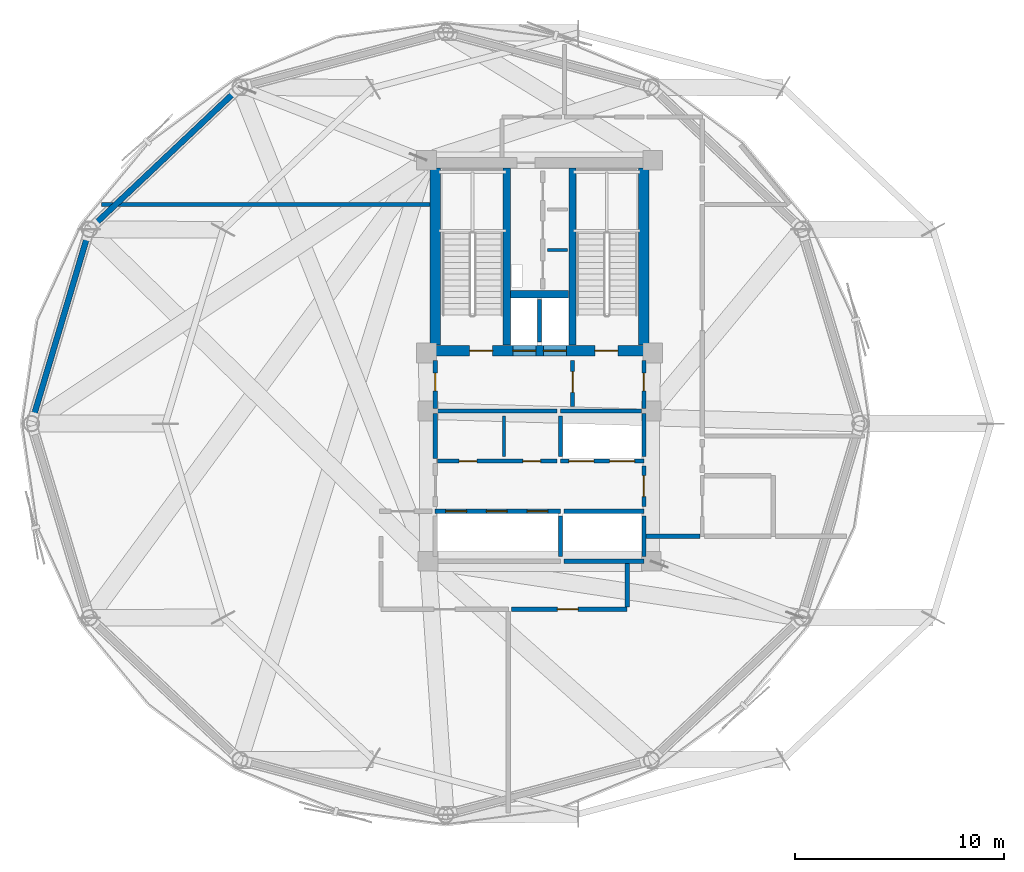
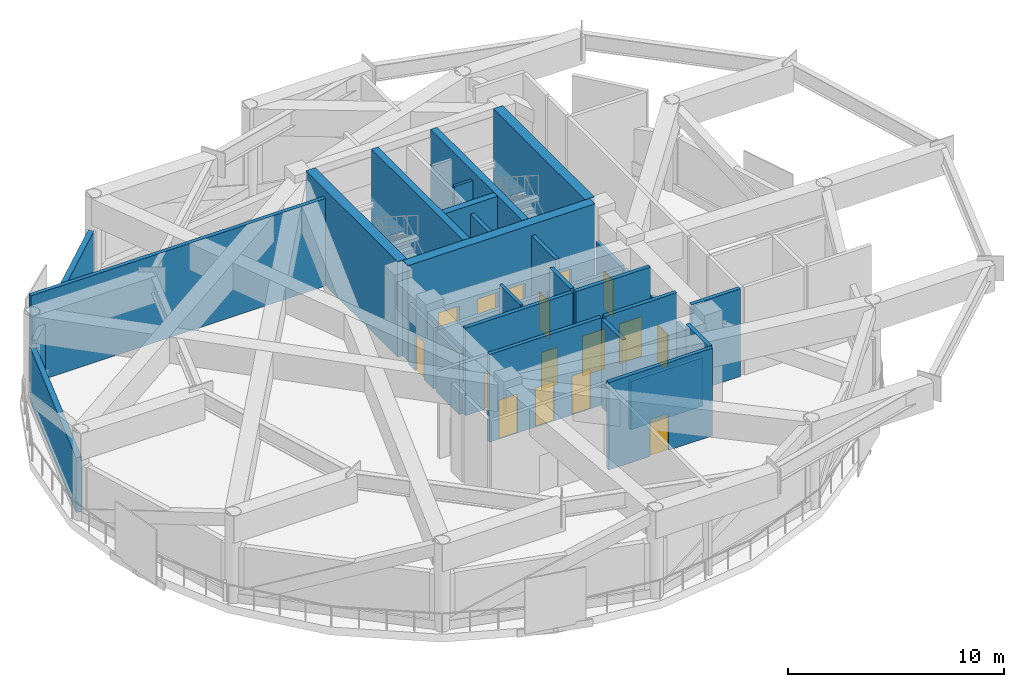
# One storey, part 3 of 8: 31 walls, 16 doors, 16 openings.
"""IFC4 building model written with IfcOpenShell, lengths in metres."""

from ifc_helpers import new_model, si_unit, direction, frame, frame_2d, origin, place, context, subcontext, project, spatial, rectangle, extrude, material, layer, layer_set, type_object, element, fill, save


model = new_model("IFC4")

# Units and contexts
model_context = context("Model", 3, precision=1e-05, world=origin(), true_north=direction((0.0, 1.0)))
body_context = subcontext(model_context, "Body", "Model", "MODEL_VIEW")
ifc_project = project(units=[si_unit("LENGTHUNIT", "METRE"), si_unit("AREAUNIT", "SQUARE_METRE"), si_unit("VOLUMEUNIT", "CUBIC_METRE"), si_unit("PLANEANGLEUNIT", "RADIAN"), si_unit("MASSUNIT", "GRAM", prefix="KILO")], contexts=[model_context])

# Site, building, storey
site_placement = place(None, origin())
site = spatial("IfcSite", under=ifc_project, at=site_placement, CompositionType="ELEMENT")
building_placement = place(site_placement, origin())
building = spatial("IfcBuilding", under=site, at=building_placement, Name="Varnakorn Sky Granary", CompositionType="ELEMENT")
storey_placement = place(building_placement, frame((0.0, 0.0, 173.39990234375)))
storey = spatial("IfcBuildingStorey", under=building, at=storey_placement, Name="L43", CompositionType="ELEMENT", Elevation=173.39990234375)

# Walls
ifc_material_1 = material(Name="Concrete C50/60", Category="concrete")
ifc_layer_1 = layer(ifc_material_1, 0.35009765625, Name="Concrete C50/60")
ifc_layer_set_1 = layer_set([ifc_layer_1], Name="Concrete C50/60")
wall_type_1 = type_object("IfcWallType", Name="WT-CW-INT-350", PredefinedType="SHEAR", material=ifc_layer_set_1)
for number, where, z_axis, x_axis, name in (
    (1, (1.419921875, 3.760009765625, 0.0), (0.0, 0.0, 1.0), (0.0, 1.0, 0.0), "Stair ST-1 Core Wall L43"),
    (2, (4.580078125, 3.760009765625, 0.0), (0.0, 0.0, 1.0), (0.0, 1.0, 0.0), "Stair ST-2 Core Wall L43"),
):
    element("IfcWall", number, at=place(storey_placement, frame(where, z_axis=z_axis, x_axis=x_axis)), inside=storey, type_object=wall_type_1, Name=name, PredefinedType="SHEAR", context=body_context, shape_type="SweptSolid", body=[
        extrude(rectangle(XDim=8.47998046875, YDim=0.35009765625, at=frame_2d((4.239990234375, 0.0))), origin(), (0.0, 0.0, 1.0), 5.39208984375),
    ])
wall_1_placement = place(storey_placement, frame((1.610107421875, 6.199951171875, 0.0), z_axis=(0.0, 0.0, 1.0), x_axis=(1.0, 0.0, 0.0)))
element("IfcWall", 3, at=wall_1_placement, inside=storey, type_object=wall_type_1, Name="Core Lift Shaft Cross Wall L43", PredefinedType="SHEAR", context=body_context, shape_type="SweptSolid", body=[
    extrude(rectangle(XDim=2.77978515625, YDim=0.35009765625, at=frame_2d((1.389892578125, 0.0))), origin(), (0.0, 0.0, 1.0), 5.39208984375),
])

# Wall, openings, doors
ifc_material_2 = material(Name="Concrete C60/75", Category="concrete")
ifc_layer_2 = layer(ifc_material_2, 0.5, Name="Concrete C60/75")
ifc_layer_set_2 = layer_set([ifc_layer_2], Name="Concrete C60/75")
wall_type_2 = type_object("IfcWallType", Name="WT-CW-SHEAR-500", PredefinedType="SHEAR", material=ifc_layer_set_2)
wall_2_placement = place(storey_placement, frame((-2.0, 3.5, 0.0), z_axis=(0.0, 0.0, 1.0), x_axis=(1.0, 0.0, 0.0)))
wall_2 = element("IfcWall", 4, at=wall_2_placement, inside=storey, type_object=wall_type_2, Name="Core South Shear Wall L43", PredefinedType="SHEAR", context=body_context, shape_type="SweptSolid", body=[
    extrude(rectangle(XDim=10.0, YDim=0.5, at=frame_2d((5.0, 0.0))), origin(), (0.0, 0.0, 1.0), 5.39208984375),
])
opening_1_placement = place(wall_2_placement, frame((1.64990234375, 0.0, 0.0)))
opening_1 = element("IfcOpeningElement", 5, at=opening_1_placement, cuts=wall_2, Name="Opening FD-90", PredefinedType="OPENING", context=body_context, shape_type="SweptSolid", body=[
    extrude(rectangle(XDim=1.10009765625, YDim=2.14990234375, at=frame_2d((0.550048828125, 1.074951171875))), frame((0.0, 0.260009765625, 0.0), z_axis=(0.0, -1.0, 0.0), x_axis=(1.0, 0.0, 0.0)), (0.0, 0.0, 1.0), 0.52001953125),
])
opening_2_placement = place(wall_2_placement, frame((7.64990234375, 0.0, 0.0)))
opening_2 = element("IfcOpeningElement", 6, at=opening_2_placement, cuts=wall_2, Name="Opening FD-90", PredefinedType="OPENING", context=body_context, shape_type="SweptSolid", body=[
    extrude(rectangle(XDim=1.10009765625, YDim=2.14990234375, at=frame_2d((0.550048828125, 1.074951171875))), frame((0.0, 0.260009765625, 0.0), z_axis=(0.0, -1.0, 0.0), x_axis=(1.0, 0.0, 0.0)), (0.0, 0.0, 1.0), 0.52001953125),
])
opening_3_placement = place(wall_2_placement, frame((3.719970703125, 0.0, 0.0)))
opening_3 = element("IfcOpeningElement", 7, at=opening_3_placement, cuts=wall_2, Name="Opening LD-01", PredefinedType="OPENING", context=body_context, shape_type="SweptSolid", body=[
    extrude(rectangle(XDim=1.10009765625, YDim=2.199951171875, at=frame_2d((0.550048828125, 1.10009765625))), frame((0.0, 0.260009765625, 0.0), z_axis=(0.0, -1.0, 0.0), x_axis=(1.0, 0.0, 0.0)), (0.0, 0.0, 1.0), 0.52001953125),
])
opening_4_placement = place(wall_2_placement, frame((5.179931640625, 0.0, 0.0)))
opening_4 = element("IfcOpeningElement", 8, at=opening_4_placement, cuts=wall_2, Name="Opening LD-01", PredefinedType="OPENING", context=body_context, shape_type="SweptSolid", body=[
    extrude(rectangle(XDim=1.10009765625, YDim=2.199951171875, at=frame_2d((0.550048828125, 1.10009765625))), frame((0.0, 0.260009765625, 0.0), z_axis=(0.0, -1.0, 0.0), x_axis=(1.0, 0.0, 0.0)), (0.0, 0.0, 1.0), 0.52001953125),
])
ifc_material_3 = material(Name="Brushed Bronze Stainless Steel", Category="steel")
door_type_1 = type_object("IfcDoorType", Name="DR-LD-1100", OperationType="DOUBLE_DOOR_SLIDING", PredefinedType="DOOR", material=ifc_material_3)
door_1_placement = place(opening_3_placement, origin())
door_1 = element("IfcDoor", 9, at=door_1_placement, inside=storey, type_object=door_type_1, Name="Firefighting Lift FFL-1 Landing Door L43", OperationType="DOUBLE_DOOR_SLIDING", OverallHeight=2.199951171875, OverallWidth=1.10009765625, PredefinedType="DOOR", context=body_context, shape_type="SweptSolid", body=[
    extrude(rectangle(XDim=1.10009765625, YDim=2.199951171875, at=frame_2d((0.550048828125, 1.10009765625))), frame((0.0, 0.02490234375, 0.0), z_axis=(0.0, -1.0, 0.0), x_axis=(1.0, 0.0, 0.0)), (0.0, 0.0, 1.0), 0.050048828125),
])
fill(opening_3, door_1)
door_2_placement = place(opening_4_placement, origin())
door_2 = element("IfcDoor", 10, at=door_2_placement, inside=storey, type_object=door_type_1, Name="Firefighting Lift FFL-2 Landing Door L43", OperationType="DOUBLE_DOOR_SLIDING", OverallHeight=2.199951171875, OverallWidth=1.10009765625, PredefinedType="DOOR", context=body_context, shape_type="SweptSolid", body=[
    extrude(rectangle(XDim=1.10009765625, YDim=2.199951171875, at=frame_2d((0.550048828125, 1.10009765625))), frame((0.0, 0.02490234375, 0.0), z_axis=(0.0, -1.0, 0.0), x_axis=(1.0, 0.0, 0.0)), (0.0, 0.0, 1.0), 0.050048828125),
])
fill(opening_4, door_2)
ifc_material_4 = material(Name="Galvanised Painted Steel Leaf", Category="steel")
door_type_2 = type_object("IfcDoorType", Name="DR-STAIR-1100", OperationType="NOTDEFINED", PredefinedType="DOOR", material=ifc_material_4)
door_3_placement = place(opening_1_placement, origin())
door_3 = element("IfcDoor", 11, at=door_3_placement, inside=storey, type_object=door_type_2, Name="Stair ST-1 Protected Fire Door L43", OperationType="SINGLE_SWING_LEFT", OverallHeight=2.14990234375, OverallWidth=1.10009765625, PredefinedType="DOOR", context=body_context, shape_type="SweptSolid", body=[
    extrude(rectangle(XDim=1.10009765625, YDim=2.14990234375, at=frame_2d((0.550048828125, 1.074951171875))), frame((0.0, 0.02490234375, 0.0), z_axis=(0.0, -1.0, 0.0), x_axis=(1.0, 0.0, 0.0)), (0.0, 0.0, 1.0), 0.050048828125),
])
fill(opening_1, door_3)
door_4_placement = place(opening_2_placement, origin())
door_4 = element("IfcDoor", 12, at=door_4_placement, inside=storey, type_object=door_type_2, Name="Stair ST-2 Protected Fire Door L43", OperationType="SINGLE_SWING_RIGHT", OverallHeight=2.14990234375, OverallWidth=1.10009765625, PredefinedType="DOOR", context=body_context, shape_type="SweptSolid", body=[
    extrude(rectangle(XDim=1.10009765625, YDim=2.14990234375, at=frame_2d((0.550048828125, 1.074951171875))), frame((0.0, 0.02490234375, 0.0), z_axis=(0.0, -1.0, 0.0), x_axis=(1.0, 0.0, 0.0)), (0.0, 0.0, 1.0), 0.050048828125),
])
fill(opening_2, door_4)

# Walls
for number, where, z_axis, x_axis, name in (
    (13, (-2.0, 3.760009765625, 0.0), (0.0, 0.0, 1.0), (0.0, 1.0, 0.0), "Core West Shear Wall L43"),
    (14, (8.0, 3.760009765625, 0.0), (0.0, 0.0, 1.0), (0.0, 1.0, 0.0), "Core East Shear Wall L43"),
):
    element("IfcWall", number, at=place(storey_placement, frame(where, z_axis=z_axis, x_axis=x_axis)), inside=storey, type_object=wall_type_2, Name=name, PredefinedType="SHEAR", context=body_context, shape_type="SweptSolid", body=[
        extrude(rectangle(XDim=8.47998046875, YDim=0.5, at=frame_2d((4.239990234375, 0.0))), origin(), (0.0, 0.0, 1.0), 5.39208984375),
    ])
ifc_material_5 = material(Name="Precast concrete C40/50", Category="concrete")
ifc_layer_3 = layer(ifc_material_5, 0.280029296875, Name="Precast concrete C40/50")
ifc_layer_set_3 = layer_set([ifc_layer_3], Name="Precast concrete C40/50")
wall_type_3 = type_object("IfcWallType", Name="WT-EW-CRN-280", PredefinedType="SOLIDWALL", material=ifc_layer_set_3)
wall_3_placement = place(storey_placement, frame((-18.329345703125, 9.5380859375, 0.0), z_axis=(0.0, 0.0, 1.0), x_axis=(0.727093640033, 0.686538300915, 0.0)))
element("IfcWall", 15, at=wall_3_placement, inside=storey, type_object=wall_type_3, Name="Agritech Insulated Precast Facade Wall L43-P05", PredefinedType="SOLIDWALL", context=body_context, shape_type="SweptSolid", body=[
    extrude(rectangle(XDim=9.252685546875, YDim=0.280029296875, at=frame_2d((4.62646484375, 0.0))), origin(), (0.0, 0.0, 1.0), 3.10009765625),
])
wall_4_placement = place(storey_placement, frame((-21.25390625, 0.322021484375, 0.0), z_axis=(0.0, 0.0, 1.0), x_axis=(0.285841231568, 0.958276990403, 0.0)))
element("IfcWall", 16, at=wall_4_placement, inside=storey, type_object=wall_type_3, Name="Agritech Insulated Precast Facade Wall L43-P06", PredefinedType="SOLIDWALL", context=body_context, shape_type="SweptSolid", body=[
    extrude(rectangle(XDim=9.040771484375, YDim=0.280029296875, at=frame_2d((4.5205078125, 0.0))), origin(), (0.0, 0.0, 1.0), 3.10009765625),
])

# Wall, opening, door
ifc_material_6 = material(Name="Autoclaved Aerated Concrete Blockwork", Category="masonry")
ifc_layer_4 = layer(ifc_material_6, 0.199951171875, Name="Autoclaved Aerated Concrete Blockwork")
ifc_layer_set_4 = layer_set([ifc_layer_4], Name="Autoclaved Aerated Concrete Blockwork")
wall_type_4 = type_object("IfcWallType", Name="WT-FIRE-200", PredefinedType="MOVABLE", material=ifc_layer_set_4)
wall_5_placement = place(storey_placement, frame((4.580078125, 0.830078125, 0.0), z_axis=(0.0, 0.0, 1.0), x_axis=(0.0, 1.0, 0.0)))
wall_5 = element("IfcWall", 17, at=wall_5_placement, inside=storey, type_object=wall_type_4, Name="Interior Partition Wall L43-014", PredefinedType="MOVABLE", context=body_context, shape_type="SweptSolid", body=[
    extrude(rectangle(XDim=2.18994140625, YDim=0.199951171875, at=frame_2d((1.094970703125, 0.0))), origin(), (0.0, 0.0, 1.0), 4.9501953125),
])
opening_5_placement = place(wall_5_placement, frame((0.659912109375, 0.0, 0.0)))
opening_5 = element("IfcOpeningElement", 18, at=opening_5_placement, cuts=wall_5, Name="Opening FD-60", PredefinedType="OPENING", context=body_context, shape_type="SweptSolid", body=[
    extrude(rectangle(XDim=1.0, YDim=2.10009765625, at=frame_2d((0.5, 1.050048828125))), frame((0.0, 0.10986328125, 0.0), z_axis=(0.0, -1.0, 0.0), x_axis=(1.0, 0.0, 0.0)), (0.0, 0.0, 1.0), 0.219970703125),
])
ifc_material_7 = material(Name="Acoustic Timber Fire Leaf", Category="wood")
door_type_3 = type_object("IfcDoorType", Name="DR-FD60-1000", OperationType="NOTDEFINED", PredefinedType="DOOR", material=ifc_material_7)
door_5_placement = place(opening_5_placement, origin())
door_5 = element("IfcDoor", 19, at=door_5_placement, inside=storey, type_object=door_type_3, Name="Interior Door L43-014-1", OperationType="SINGLE_SWING_LEFT", OverallHeight=2.10009765625, OverallWidth=1.0, PredefinedType="DOOR", context=body_context, shape_type="SweptSolid", body=[
    extrude(rectangle(XDim=1.0, YDim=2.10009765625, at=frame_2d((0.5, 1.050048828125))), frame((0.0, 0.02490234375, 0.0), z_axis=(0.0, -1.0, 0.0), x_axis=(1.0, 0.0, 0.0)), (0.0, 0.0, 1.0), 0.050048828125),
])
fill(opening_5, door_5)

wall_6_placement = place(storey_placement, frame((-2.0, 0.719970703125, 0.0), z_axis=(0.0, 0.0, 1.0), x_axis=(0.0, 1.0, 0.0)))
wall_6 = element("IfcWall", 20, at=wall_6_placement, inside=storey, type_object=wall_type_4, Name="Interior Partition Wall L43-015", PredefinedType="MOVABLE", context=body_context, shape_type="SweptSolid", body=[
    extrude(rectangle(XDim=2.300048828125, YDim=0.199951171875, at=frame_2d((1.14990234375, 0.0))), origin(), (0.0, 0.0, 1.0), 3.43212890625),
])
opening_6_placement = place(wall_6_placement, frame((0.844970703125, 0.0, 0.0)))
opening_6 = element("IfcOpeningElement", 21, at=opening_6_placement, cuts=wall_6, Name="Opening FD-60N", PredefinedType="OPENING", context=body_context, shape_type="SweptSolid", body=[
    extrude(rectangle(XDim=0.85009765625, YDim=2.10009765625, at=frame_2d((0.425048828125, 1.050048828125))), frame((0.0, 0.10986328125, 0.0), z_axis=(0.0, -1.0, 0.0), x_axis=(1.0, 0.0, 0.0)), (0.0, 0.0, 1.0), 0.219970703125),
])
door_type_4 = type_object("IfcDoorType", Name="DR-FD60-850", OperationType="NOTDEFINED", PredefinedType="DOOR", material=ifc_material_7)
door_6_placement = place(opening_6_placement, origin())
door_6 = element("IfcDoor", 22, at=door_6_placement, inside=storey, type_object=door_type_4, Name="Interior Door L43-015-1", OperationType="SINGLE_SWING_RIGHT", OverallHeight=2.10009765625, OverallWidth=0.85009765625, PredefinedType="DOOR", context=body_context, shape_type="SweptSolid", body=[
    extrude(rectangle(XDim=0.85009765625, YDim=2.10009765625, at=frame_2d((0.425048828125, 1.050048828125))), frame((0.0, 0.02490234375, 0.0), z_axis=(0.0, -1.0, 0.0), x_axis=(1.0, 0.0, 0.0)), (0.0, 0.0, 1.0), 0.050048828125),
])
fill(opening_6, door_6)

wall_7_placement = place(storey_placement, frame((8.0, 0.719970703125, 0.0), z_axis=(0.0, 0.0, 1.0), x_axis=(0.0, 1.0, 0.0)))
wall_7 = element("IfcWall", 23, at=wall_7_placement, inside=storey, type_object=wall_type_4, Name="Interior Partition Wall L43-016", PredefinedType="MOVABLE", context=body_context, shape_type="SweptSolid", body=[
    extrude(rectangle(XDim=2.300048828125, YDim=0.199951171875, at=frame_2d((1.14990234375, 0.0))), origin(), (0.0, 0.0, 1.0), 3.43212890625),
])
opening_7_placement = place(wall_7_placement, frame((0.844970703125, 0.0, 0.0)))
opening_7 = element("IfcOpeningElement", 24, at=opening_7_placement, cuts=wall_7, Name="Opening FD-60N", PredefinedType="OPENING", context=body_context, shape_type="SweptSolid", body=[
    extrude(rectangle(XDim=0.85009765625, YDim=2.10009765625, at=frame_2d((0.425048828125, 1.050048828125))), frame((0.0, 0.10986328125, 0.0), z_axis=(0.0, -1.0, 0.0), x_axis=(1.0, 0.0, 0.0)), (0.0, 0.0, 1.0), 0.219970703125),
])
door_7_placement = place(opening_7_placement, origin())
door_7 = element("IfcDoor", 25, at=door_7_placement, inside=storey, type_object=door_type_4, Name="Interior Door L43-016-1", OperationType="SINGLE_SWING_LEFT", OverallHeight=2.10009765625, OverallWidth=0.85009765625, PredefinedType="DOOR", context=body_context, shape_type="SweptSolid", body=[
    extrude(rectangle(XDim=0.85009765625, YDim=2.10009765625, at=frame_2d((0.425048828125, 1.050048828125))), frame((0.0, 0.02490234375, 0.0), z_axis=(0.0, -1.0, 0.0), x_axis=(1.0, 0.0, 0.0)), (0.0, 0.0, 1.0), 0.050048828125),
])
fill(opening_7, door_7)

wall_8_placement = place(storey_placement, frame((8.0, -3.969970703125, 0.0), z_axis=(0.0, 0.0, 1.0), x_axis=(0.0, 1.0, 0.0)))
wall_8 = element("IfcWall", 26, at=wall_8_placement, inside=storey, type_object=wall_type_4, Name="Interior Partition Wall L43-018", PredefinedType="MOVABLE", context=body_context, shape_type="SweptSolid", body=[
    extrude(rectangle(XDim=1.93994140625, YDim=0.199951171875, at=frame_2d((0.969970703125, 0.0))), origin(), (0.0, 0.0, 1.0), 3.43212890625),
])
opening_8_placement = place(wall_8_placement, frame((0.469970703125, 0.0, 0.0)))
opening_8 = element("IfcOpeningElement", 27, at=opening_8_placement, cuts=wall_8, Name="Opening FD-60", PredefinedType="OPENING", context=body_context, shape_type="SweptSolid", body=[
    extrude(rectangle(XDim=1.0, YDim=2.10009765625, at=frame_2d((0.5, 1.050048828125))), frame((0.0, 0.10986328125, 0.0), z_axis=(0.0, -1.0, 0.0), x_axis=(1.0, 0.0, 0.0)), (0.0, 0.0, 1.0), 0.219970703125),
])
door_8_placement = place(opening_8_placement, origin())
door_8 = element("IfcDoor", 28, at=door_8_placement, inside=storey, type_object=door_type_3, Name="Interior Door L43-018-1", OperationType="SINGLE_SWING_LEFT", OverallHeight=2.10009765625, OverallWidth=1.0, PredefinedType="DOOR", context=body_context, shape_type="SweptSolid", body=[
    extrude(rectangle(XDim=1.0, YDim=2.10009765625, at=frame_2d((0.5, 1.050048828125))), frame((0.0, 0.02490234375, 0.0), z_axis=(0.0, -1.0, 0.0), x_axis=(1.0, 0.0, 0.0)), (0.0, 0.0, 1.0), 0.050048828125),
])
fill(opening_8, door_8)

# Wall, openings, doors
wall_9_placement = place(storey_placement, frame((-1.889892578125, -1.800048828125, 0.0), z_axis=(0.0, 0.0, 1.0), x_axis=(1.0, 0.0, 0.0)))
wall_9 = element("IfcWall", 29, at=wall_9_placement, inside=storey, type_object=wall_type_4, Name="Interior Partition Wall L43-019", PredefinedType="MOVABLE", context=body_context, shape_type="SweptSolid", body=[
    extrude(rectangle(XDim=5.72998046875, YDim=0.199951171875, at=frame_2d((2.864990234375, 0.0))), origin(), (0.0, 0.0, 1.0), 4.9501953125),
])
opening_9_placement = place(wall_9_placement, frame((1.0400390625, 0.0, 0.0)))
opening_9 = element("IfcOpeningElement", 30, at=opening_9_placement, cuts=wall_9, Name="Opening FD-60N", PredefinedType="OPENING", context=body_context, shape_type="SweptSolid", body=[
    extrude(rectangle(XDim=0.85009765625, YDim=2.10009765625, at=frame_2d((0.425048828125, 1.050048828125))), frame((0.0, 0.10986328125, 0.0), z_axis=(0.0, -1.0, 0.0), x_axis=(1.0, 0.0, 0.0)), (0.0, 0.0, 1.0), 0.219970703125),
])
opening_10_placement = place(wall_9_placement, frame((4.090087890625, 0.0, 0.0)))
opening_10 = element("IfcOpeningElement", 31, at=opening_10_placement, cuts=wall_9, Name="Opening FD-60N", PredefinedType="OPENING", context=body_context, shape_type="SweptSolid", body=[
    extrude(rectangle(XDim=0.85009765625, YDim=2.10009765625, at=frame_2d((0.425048828125, 1.050048828125))), frame((0.0, 0.10986328125, 0.0), z_axis=(0.0, -1.0, 0.0), x_axis=(1.0, 0.0, 0.0)), (0.0, 0.0, 1.0), 0.219970703125),
])
door_9_placement = place(opening_9_placement, origin())
door_9 = element("IfcDoor", 32, at=door_9_placement, inside=storey, type_object=door_type_4, Name="Interior Door L43-019-1", OperationType="SINGLE_SWING_RIGHT", OverallHeight=2.10009765625, OverallWidth=0.85009765625, PredefinedType="DOOR", context=body_context, shape_type="SweptSolid", body=[
    extrude(rectangle(XDim=0.85009765625, YDim=2.10009765625, at=frame_2d((0.425048828125, 1.050048828125))), frame((0.0, 0.02490234375, 0.0), z_axis=(0.0, -1.0, 0.0), x_axis=(1.0, 0.0, 0.0)), (0.0, 0.0, 1.0), 0.050048828125),
])
fill(opening_9, door_9)
door_10_placement = place(opening_10_placement, origin())
door_10 = element("IfcDoor", 33, at=door_10_placement, inside=storey, type_object=door_type_4, Name="Interior Door L43-019-2", OperationType="SINGLE_SWING_LEFT", OverallHeight=2.10009765625, OverallWidth=0.85009765625, PredefinedType="DOOR", context=body_context, shape_type="SweptSolid", body=[
    extrude(rectangle(XDim=0.85009765625, YDim=2.10009765625, at=frame_2d((0.425048828125, 1.050048828125))), frame((0.0, 0.02490234375, 0.0), z_axis=(0.0, -1.0, 0.0), x_axis=(1.0, 0.0, 0.0)), (0.0, 0.0, 1.0), 0.050048828125),
])
fill(opening_10, door_10)

# Wall, opening, door
wall_10_placement = place(storey_placement, frame((1.659912109375, -8.89990234375, 0.0), z_axis=(0.0, 0.0, 1.0), x_axis=(1.0, 0.0, 0.0)))
wall_10 = element("IfcWall", 34, at=wall_10_placement, inside=storey, type_object=wall_type_4, Name="Interior Partition Wall L43-027", PredefinedType="MOVABLE", context=body_context, shape_type="SweptSolid", body=[
    extrude(rectangle(XDim=5.5400390625, YDim=0.199951171875, at=frame_2d((2.77001953125, 0.0))), origin(), (0.0, 0.0, 1.0), 4.9501953125),
])
opening_11_placement = place(wall_10_placement, frame((2.18994140625, 0.0, 0.0)))
opening_11 = element("IfcOpeningElement", 35, at=opening_11_placement, cuts=wall_10, Name="Opening FD-60", PredefinedType="OPENING", context=body_context, shape_type="SweptSolid", body=[
    extrude(rectangle(XDim=1.0, YDim=2.10009765625, at=frame_2d((0.5, 1.050048828125))), frame((0.0, 0.10986328125, 0.0), z_axis=(0.0, -1.0, 0.0), x_axis=(1.0, 0.0, 0.0)), (0.0, 0.0, 1.0), 0.219970703125),
])
door_11_placement = place(opening_11_placement, origin())
door_11 = element("IfcDoor", 36, at=door_11_placement, inside=storey, type_object=door_type_3, Name="Interior Door L43-027-1", OperationType="SINGLE_SWING_LEFT", OverallHeight=2.10009765625, OverallWidth=1.0, PredefinedType="DOOR", context=body_context, shape_type="SweptSolid", body=[
    extrude(rectangle(XDim=1.0, YDim=2.10009765625, at=frame_2d((0.5, 1.050048828125))), frame((0.0, 0.02490234375, 0.0), z_axis=(0.0, -1.0, 0.0), x_axis=(1.0, 0.0, 0.0)), (0.0, 0.0, 1.0), 0.050048828125),
])
fill(opening_11, door_11)

# Walls
wall_11_placement = place(storey_placement, frame((-1.8798828125, 0.60009765625, 0.0), z_axis=(0.0, 0.0, 1.0), x_axis=(1.0, 0.0, 0.0)))
element("IfcWall", 37, at=wall_11_placement, inside=storey, type_object=wall_type_4, Name="Interior Partition Wall L43-030", PredefinedType="MOVABLE", context=body_context, shape_type="SweptSolid", body=[
    extrude(rectangle(XDim=5.719970703125, YDim=0.199951171875, at=frame_2d((2.85986328125, 0.0))), origin(), (0.0, 0.0, 1.0), 3.43212890625),
])
wall_12_placement = place(storey_placement, frame((-2.0, -1.679931640625, 0.0), z_axis=(0.0, 0.0, 1.0), x_axis=(0.0, 1.0, 0.0)))
element("IfcWall", 38, at=wall_12_placement, inside=storey, type_object=wall_type_4, Name="Interior Partition Wall L43-032", PredefinedType="MOVABLE", context=body_context, shape_type="SweptSolid", body=[
    extrude(rectangle(XDim=2.159912109375, YDim=0.199951171875, at=frame_2d((1.080078125, 0.0))), origin(), (0.0, 0.0, 1.0), 3.43212890625),
])
wall_13_placement = place(storey_placement, frame((7.199951171875, -8.7900390625, 0.0), z_axis=(0.0, 0.0, 1.0), x_axis=(0.0, 1.0, 0.0)))
element("IfcWall", 39, at=wall_13_placement, inside=storey, type_object=wall_type_4, Name="Interior Partition Wall L43-039", PredefinedType="MOVABLE", context=body_context, shape_type="SweptSolid", body=[
    extrude(rectangle(XDim=2.080078125, YDim=0.199951171875, at=frame_2d((1.0400390625, 0.0))), origin(), (0.0, 0.0, 1.0), 4.9501953125),
])
wall_14_placement = place(storey_placement, frame((8.110107421875, -5.39990234375, 0.0), z_axis=(0.0, 0.0, 1.0), x_axis=(1.0, 0.0, 0.0)))
element("IfcWall", 40, at=wall_14_placement, inside=storey, type_object=wall_type_4, Name="Interior Partition Wall L43-040", PredefinedType="MOVABLE", context=body_context, shape_type="SweptSolid", body=[
    extrude(rectangle(XDim=2.58984375, YDim=0.199951171875, at=frame_2d((1.294921875, 0.0))), origin(), (0.0, 0.0, 1.0), 4.9501953125),
])
wall_15_placement = place(storey_placement, frame((-17.98388671875, 10.5, 0.0), z_axis=(0.0, 0.0, 1.0), x_axis=(1.0, 0.0, 0.0)))
element("IfcWall", 41, at=wall_15_placement, inside=storey, type_object=wall_type_4, Name="Interior Partition Wall L43-041", PredefinedType="MOVABLE", context=body_context, shape_type="SweptSolid", body=[
    extrude(rectangle(XDim=15.723876953125, YDim=0.199951171875, at=frame_2d((7.86181640625, 0.0))), origin(), (0.0, 0.0, 1.0), 4.9501953125),
])
ifc_material_8 = material(Name="Gypsum Plasterboard on Steel Stud", Category="steel")
ifc_layer_5 = layer(ifc_material_8, 0.14990234375, Name="Gypsum Plasterboard on Steel Stud")
ifc_layer_set_5 = layer_set([ifc_layer_5], Name="Gypsum Plasterboard on Steel Stud")
wall_type_5 = type_object("IfcWallType", Name="WT-PART-150", PredefinedType="PARTITIONING", material=ifc_layer_set_5)
wall_16_placement = place(storey_placement, frame((3.3701171875, 8.320068359375, 0.0), z_axis=(0.0, 0.0, 1.0), x_axis=(1.0, 0.0, 0.0)))
element("IfcWall", 42, at=wall_16_placement, inside=storey, type_object=wall_type_5, Name="Interior Partition Wall L43-028", PredefinedType="PARTITIONING", context=body_context, shape_type="SweptSolid", body=[
    extrude(rectangle(XDim=0.97998046875, YDim=0.14990234375, at=frame_2d((0.489990234375, 0.0))), origin(), (0.0, 0.0, 1.0), 4.9501953125),
])
wall_17_placement = place(storey_placement, frame((1.300048828125, -1.570068359375, 0.0), z_axis=(0.0, 0.0, 1.0), x_axis=(0.0, 1.0, 0.0)))
element("IfcWall", 43, at=wall_17_placement, inside=storey, type_object=wall_type_5, Name="Interior Partition Wall L43-031", PredefinedType="PARTITIONING", context=body_context, shape_type="SweptSolid", body=[
    extrude(rectangle(XDim=1.940185546875, YDim=0.14990234375, at=frame_2d((0.97021484375, 0.0))), origin(), (0.0, 0.0, 1.0), 4.9501953125),
])
ifc_layer_6 = layer(ifc_material_6, 0.199951171875, Name="Autoclaved Aerated Concrete Blockwork")
ifc_layer_set_6 = layer_set([ifc_layer_6], Name="Autoclaved Aerated Concrete Blockwork")
wall_type_6 = type_object("IfcWallType", Name="WT-SHAFT-200", PredefinedType="SOLIDWALL", material=ifc_layer_set_6)
wall_18_placement = place(storey_placement, frame((3.0, 3.919921875, 0.0), z_axis=(0.0, 0.0, 1.0), x_axis=(0.0, 1.0, 0.0)))
element("IfcWall", 44, at=wall_18_placement, inside=storey, type_object=wall_type_6, Name="Interior Partition Wall L43-001", PredefinedType="SOLIDWALL", context=body_context, shape_type="SweptSolid", body=[
    extrude(rectangle(XDim=2.030029296875, YDim=0.199951171875, at=frame_2d((1.01513671875, 0.0))), origin(), (0.0, 0.0, 1.0), 4.9501953125),
])
wall_19_placement = place(storey_placement, frame((4.0, 0.60009765625, 0.0), z_axis=(0.0, 0.0, 1.0), x_axis=(1.0, 0.0, 0.0)))
element("IfcWall", 45, at=wall_19_placement, inside=storey, type_object=wall_type_6, Name="Interior Partition Wall L43-002", PredefinedType="SOLIDWALL", context=body_context, shape_type="SweptSolid", body=[
    extrude(rectangle(XDim=3.8798828125, YDim=0.199951171875, at=frame_2d((1.93994140625, 0.0))), origin(), (0.0, 0.0, 1.0), 3.43212890625),
])

# Wall, openings, doors
wall_20_placement = place(storey_placement, frame((4.0, -1.800048828125, 0.0), z_axis=(0.0, 0.0, 1.0), x_axis=(1.0, 0.0, 0.0)))
wall_20 = element("IfcWall", 46, at=wall_20_placement, inside=storey, type_object=wall_type_6, Name="Interior Partition Wall L43-003", PredefinedType="SOLIDWALL", context=body_context, shape_type="SweptSolid", body=[
    extrude(rectangle(XDim=4.0, YDim=0.199951171875, at=frame_2d((2.0, 0.0))), origin(), (0.0, 0.0, 1.0), 4.9501953125),
])
opening_12_placement = place(wall_20_placement, frame((0.39990234375, 0.0, 0.0)))
opening_12 = element("IfcOpeningElement", 47, at=opening_12_placement, cuts=wall_20, Name="Opening LD-02", PredefinedType="OPENING", context=body_context, shape_type="SweptSolid", body=[
    extrude(rectangle(XDim=1.199951171875, YDim=2.25, at=frame_2d((0.60009765625, 1.125))), frame((0.0, 0.10986328125, 0.0), z_axis=(0.0, -1.0, 0.0), x_axis=(1.0, 0.0, 0.0)), (0.0, 0.0, 1.0), 0.219970703125),
])
opening_13_placement = place(wall_20_placement, frame((2.360107421875, 0.0, 0.0)))
opening_13 = element("IfcOpeningElement", 48, at=opening_13_placement, cuts=wall_20, Name="Opening LD-02", PredefinedType="OPENING", context=body_context, shape_type="SweptSolid", body=[
    extrude(rectangle(XDim=1.199951171875, YDim=2.25, at=frame_2d((0.60009765625, 1.125))), frame((0.0, 0.10986328125, 0.0), z_axis=(0.0, -1.0, 0.0), x_axis=(1.0, 0.0, 0.0)), (0.0, 0.0, 1.0), 0.219970703125),
])
door_type_5 = type_object("IfcDoorType", Name="DR-LD-1200", OperationType="DOUBLE_DOOR_SLIDING", PredefinedType="DOOR", material=ifc_material_3)
door_12_placement = place(opening_12_placement, origin())
door_12 = element("IfcDoor", 49, at=door_12_placement, inside=storey, type_object=door_type_5, Name="Passenger Lift EL-OBS1 Sliding Landing Door L43", OperationType="DOUBLE_DOOR_SLIDING", OverallHeight=2.25, OverallWidth=1.199951171875, PredefinedType="DOOR", context=body_context, shape_type="SweptSolid", body=[
    extrude(rectangle(XDim=1.199951171875, YDim=2.25, at=frame_2d((0.60009765625, 1.125))), frame((0.0, 0.02490234375, 0.0), z_axis=(0.0, -1.0, 0.0), x_axis=(1.0, 0.0, 0.0)), (0.0, 0.0, 1.0), 0.050048828125),
])
fill(opening_12, door_12)
door_13_placement = place(opening_13_placement, origin())
door_13 = element("IfcDoor", 50, at=door_13_placement, inside=storey, type_object=door_type_5, Name="Passenger Lift EL-OBS2 Sliding Landing Door L43", OperationType="DOUBLE_DOOR_SLIDING", OverallHeight=2.25, OverallWidth=1.199951171875, PredefinedType="DOOR", context=body_context, shape_type="SweptSolid", body=[
    extrude(rectangle(XDim=1.199951171875, YDim=2.25, at=frame_2d((0.60009765625, 1.125))), frame((0.0, 0.02490234375, 0.0), z_axis=(0.0, -1.0, 0.0), x_axis=(1.0, 0.0, 0.0)), (0.0, 0.0, 1.0), 0.050048828125),
])
fill(opening_13, door_13)

# Walls
wall_21_placement = place(storey_placement, frame((4.0, -1.570068359375, 0.0), z_axis=(0.0, 0.0, 1.0), x_axis=(0.0, 1.0, 0.0)))
element("IfcWall", 51, at=wall_21_placement, inside=storey, type_object=wall_type_6, Name="Interior Partition Wall L43-004", PredefinedType="SOLIDWALL", context=body_context, shape_type="SweptSolid", body=[
    extrude(rectangle(XDim=1.940185546875, YDim=0.199951171875, at=frame_2d((0.97021484375, 0.0))), origin(), (0.0, 0.0, 1.0), 4.9501953125),
])
wall_22_placement = place(storey_placement, frame((8.0, -1.570068359375, 0.0), z_axis=(0.0, 0.0, 1.0), x_axis=(0.0, 1.0, 0.0)))
element("IfcWall", 52, at=wall_22_placement, inside=storey, type_object=wall_type_6, Name="Interior Partition Wall L43-005", PredefinedType="SOLIDWALL", context=body_context, shape_type="SweptSolid", body=[
    extrude(rectangle(XDim=2.050048828125, YDim=0.199951171875, at=frame_2d((1.02490234375, 0.0))), origin(), (0.0, 0.0, 1.0), 3.43212890625),
])

# Wall, openings, doors
wall_23_placement = place(storey_placement, frame((-2.0, -4.199951171875, 0.0), z_axis=(0.0, 0.0, 1.0), x_axis=(1.0, 0.0, 0.0)))
wall_23 = element("IfcWall", 53, at=wall_23_placement, inside=storey, type_object=wall_type_6, Name="Interior Partition Wall L43-006", PredefinedType="SOLIDWALL", context=body_context, shape_type="SweptSolid", body=[
    extrude(rectangle(XDim=6.0, YDim=0.199951171875, at=frame_2d((3.0, 0.0))), origin(), (0.0, 0.0, 1.0), 4.9501953125),
])
opening_14_placement = place(wall_23_placement, frame((0.5, 0.0, 0.0)))
opening_14 = element("IfcOpeningElement", 54, at=opening_14_placement, cuts=wall_23, Name="Opening LD-03", PredefinedType="OPENING", context=body_context, shape_type="SweptSolid", body=[
    extrude(rectangle(XDim=1.0, YDim=2.199951171875, at=frame_2d((0.5, 1.10009765625))), frame((0.0, 0.10986328125, 0.0), z_axis=(0.0, -1.0, 0.0), x_axis=(1.0, 0.0, 0.0)), (0.0, 0.0, 1.0), 0.219970703125),
])
opening_15_placement = place(wall_23_placement, frame((2.449951171875, 0.0, 0.0)))
opening_15 = element("IfcOpeningElement", 55, at=opening_15_placement, cuts=wall_23, Name="Opening LD-03", PredefinedType="OPENING", context=body_context, shape_type="SweptSolid", body=[
    extrude(rectangle(XDim=1.0, YDim=2.199951171875, at=frame_2d((0.5, 1.10009765625))), frame((0.0, 0.10986328125, 0.0), z_axis=(0.0, -1.0, 0.0), x_axis=(1.0, 0.0, 0.0)), (0.0, 0.0, 1.0), 0.219970703125),
])
opening_16_placement = place(wall_23_placement, frame((4.39990234375, 0.0, 0.0)))
opening_16 = element("IfcOpeningElement", 56, at=opening_16_placement, cuts=wall_23, Name="Opening LD-03", PredefinedType="OPENING", context=body_context, shape_type="SweptSolid", body=[
    extrude(rectangle(XDim=1.0, YDim=2.199951171875, at=frame_2d((0.5, 1.10009765625))), frame((0.0, 0.10986328125, 0.0), z_axis=(0.0, -1.0, 0.0), x_axis=(1.0, 0.0, 0.0)), (0.0, 0.0, 1.0), 0.219970703125),
])
door_type_6 = type_object("IfcDoorType", Name="DR-LD-1000", OperationType="DOUBLE_DOOR_SLIDING", PredefinedType="DOOR", material=ifc_material_3)
door_14_placement = place(opening_14_placement, origin())
door_14 = element("IfcDoor", 57, at=door_14_placement, inside=storey, type_object=door_type_6, Name="Passenger Lift PL-M1 Sliding Landing Door L43", OperationType="DOUBLE_DOOR_SLIDING", OverallHeight=2.199951171875, OverallWidth=1.0, PredefinedType="DOOR", context=body_context, shape_type="SweptSolid", body=[
    extrude(rectangle(XDim=1.0, YDim=2.199951171875, at=frame_2d((0.5, 1.10009765625))), frame((0.0, 0.02490234375, 0.0), z_axis=(0.0, -1.0, 0.0), x_axis=(1.0, 0.0, 0.0)), (0.0, 0.0, 1.0), 0.050048828125),
])
fill(opening_14, door_14)
door_15_placement = place(opening_15_placement, origin())
door_15 = element("IfcDoor", 58, at=door_15_placement, inside=storey, type_object=door_type_6, Name="Passenger Lift PL-M2 Sliding Landing Door L43", OperationType="DOUBLE_DOOR_SLIDING", OverallHeight=2.199951171875, OverallWidth=1.0, PredefinedType="DOOR", context=body_context, shape_type="SweptSolid", body=[
    extrude(rectangle(XDim=1.0, YDim=2.199951171875, at=frame_2d((0.5, 1.10009765625))), frame((0.0, 0.02490234375, 0.0), z_axis=(0.0, -1.0, 0.0), x_axis=(1.0, 0.0, 0.0)), (0.0, 0.0, 1.0), 0.050048828125),
])
fill(opening_15, door_15)
door_16_placement = place(opening_16_placement, origin())
door_16 = element("IfcDoor", 59, at=door_16_placement, inside=storey, type_object=door_type_6, Name="Passenger Lift PL-M3 Sliding Landing Door L43", OperationType="DOUBLE_DOOR_SLIDING", OverallHeight=2.199951171875, OverallWidth=1.0, PredefinedType="DOOR", context=body_context, shape_type="SweptSolid", body=[
    extrude(rectangle(XDim=1.0, YDim=2.199951171875, at=frame_2d((0.5, 1.10009765625))), frame((0.0, 0.02490234375, 0.0), z_axis=(0.0, -1.0, 0.0), x_axis=(1.0, 0.0, 0.0)), (0.0, 0.0, 1.0), 0.050048828125),
])
fill(opening_16, door_16)

# Walls
wall_24_placement = place(storey_placement, frame((4.159912109375, -4.199951171875, 0.0), z_axis=(0.0, 0.0, 1.0), x_axis=(1.0, 0.0, 0.0)))
element("IfcWall", 60, at=wall_24_placement, inside=storey, type_object=wall_type_6, Name="Interior Partition Wall L43-009", PredefinedType="SOLIDWALL", context=body_context, shape_type="SweptSolid", body=[
    extrude(rectangle(XDim=3.840087890625, YDim=0.199951171875, at=frame_2d((1.919921875, 0.0))), origin(), (0.0, 0.0, 1.0), 4.9501953125),
])
wall_25_placement = place(storey_placement, frame((4.159912109375, -6.60009765625, 0.0), z_axis=(0.0, 0.0, 1.0), x_axis=(1.0, 0.0, 0.0)))
element("IfcWall", 61, at=wall_25_placement, inside=storey, type_object=wall_type_6, Name="Interior Partition Wall L43-010", PredefinedType="SOLIDWALL", context=body_context, shape_type="SweptSolid", body=[
    extrude(rectangle(XDim=3.840087890625, YDim=0.199951171875, at=frame_2d((1.919921875, 0.0))), origin(), (0.0, 0.0, 1.0), 2.732177734375),
])
wall_26_placement = place(storey_placement, frame((4.0, -6.3701171875, 0.0), z_axis=(0.0, 0.0, 1.0), x_axis=(0.0, 1.0, 0.0)))
element("IfcWall", 62, at=wall_26_placement, inside=storey, type_object=wall_type_6, Name="Interior Partition Wall L43-011", PredefinedType="SOLIDWALL", context=body_context, shape_type="SweptSolid", body=[
    extrude(rectangle(XDim=1.940185546875, YDim=0.199951171875, at=frame_2d((0.97021484375, 0.0))), origin(), (0.0, 0.0, 1.0), 4.9501953125),
])
wall_27_placement = place(storey_placement, frame((8.0, -6.3701171875, 0.0), z_axis=(0.0, 0.0, 1.0), x_axis=(0.0, 1.0, 0.0)))
element("IfcWall", 63, at=wall_27_placement, inside=storey, type_object=wall_type_6, Name="Interior Partition Wall L43-012", PredefinedType="SOLIDWALL", context=body_context, shape_type="SweptSolid", body=[
    extrude(rectangle(XDim=1.940185546875, YDim=0.199951171875, at=frame_2d((0.97021484375, 0.0))), origin(), (0.0, 0.0, 1.0), 3.43212890625),
])

save(model, "model.ifc")
